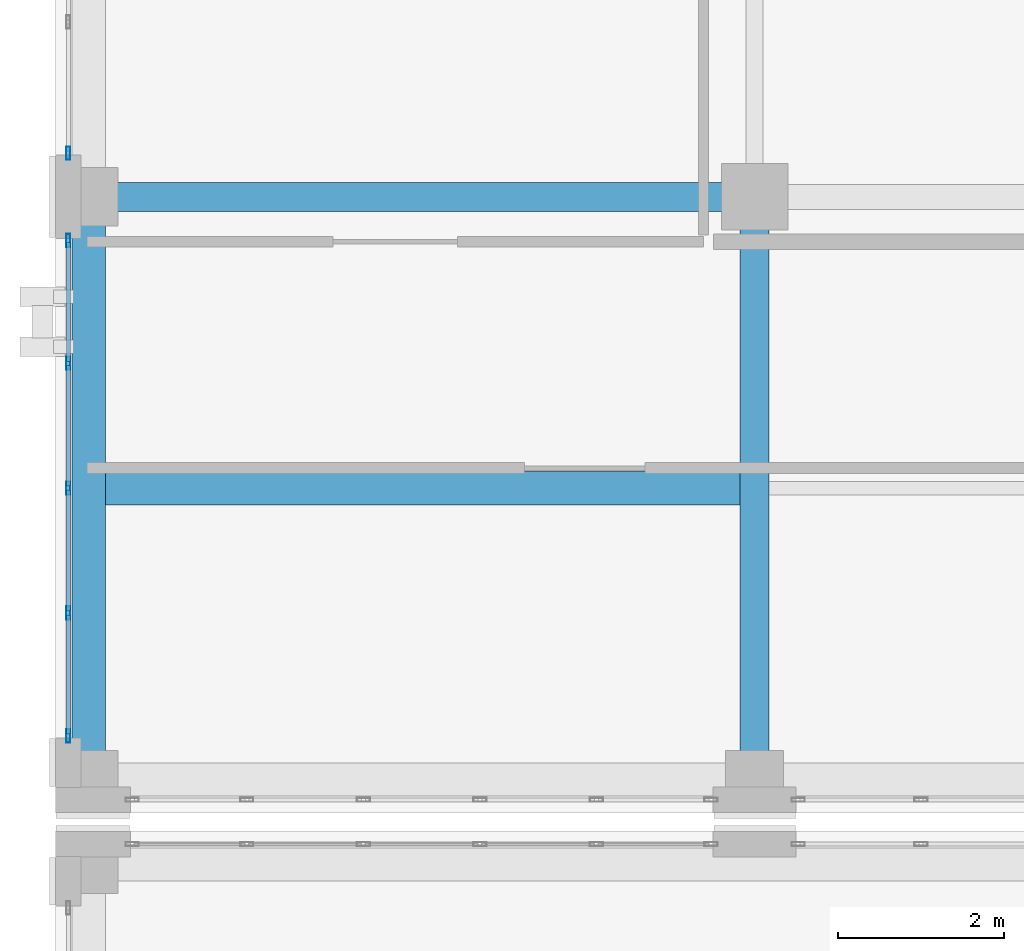
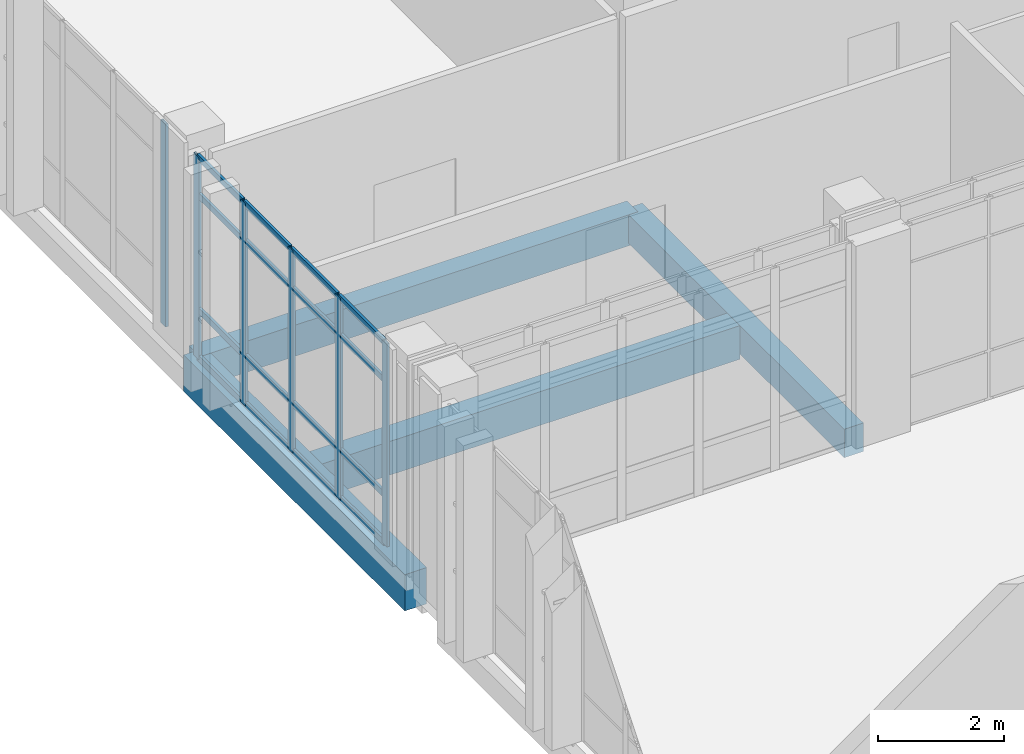
# One storey, part 89 of 193: 22 members, 4 beams, 2 elements without a shape of their own.
"""IFC4 building model written with IfcOpenShell, lengths in metres."""

from ifc_helpers import new_model, si_unit, direction, frame, origin, origin_2d, place, context, subcontext, project, spatial, rectangle, hollow_rectangle, extrude, material, layer, layer_set, material_profile, profile_set, type_object, element, aggregate, save


model = new_model("IFC4")

# Units and contexts
model_context = context("Model", 3, precision=1e-05, world=origin(), true_north=direction((0.0, 1.0)))
body_context = subcontext(model_context, "Body", "Model", "MODEL_VIEW")
ifc_project = project(units=[si_unit("LENGTHUNIT", "METRE"), si_unit("AREAUNIT", "SQUARE_METRE"), si_unit("VOLUMEUNIT", "CUBIC_METRE"), si_unit("PLANEANGLEUNIT", "RADIAN"), si_unit("MASSUNIT", "GRAM", prefix="KILO")], contexts=[model_context])

# Site, building, storey
site_placement = place(None, origin())
site = spatial("IfcSite", under=ifc_project, at=site_placement, CompositionType="ELEMENT")
building_placement = place(site_placement, origin())
building = spatial("IfcBuilding", under=site, at=building_placement, Name="Qalavern Law Courts", CompositionType="ELEMENT")
storey_placement = place(building_placement, frame((0.0, 0.0, 10.199951171875)))
storey = spatial("IfcBuildingStorey", under=building, at=storey_placement, Name="L02", CompositionType="ELEMENT", Elevation=10.199951171875)

# Curtain wall, member
ifc_material_1 = material(Name="Anodised aluminium and insulated glazing", Category="aluminium")
ifc_layer = layer(ifc_material_1, 0.166015625)
ifc_layer_set = layer_set([ifc_layer], Name="Anodised aluminium and insulated glazing")
curtain_wall_type = type_object("IfcCurtainWallType", Name="ENV-CW-LIB", PredefinedType="USERDEFINED", material=ifc_layer_set)
curtain_wall_1_placement = place(storey_placement, origin())
curtain_wall_1 = element("IfcCurtainWall", 1, at=curtain_wall_1_placement, inside=storey, type_object=curtain_wall_type, Name="V5 unitised curtain wall L02 west 1", ObjectType="UNITISED CURTAIN WALL", PredefinedType="USERDEFINED")
ifc_material_2 = material(Name="Anodised aluminium", Category="aluminium")
ifc_material_profile_1 = material_profile(ifc_material_2, hollow_rectangle(XDim=0.048095703125, YDim=0.159912109375, WallThickness=0.00390625, at=origin_2d()), Name="ALU MULLION 48x160")
ifc_profile_set_1 = profile_set([ifc_material_profile_1], Name="Anodised aluminium")
member_type_1 = type_object("IfcMemberType", Name="ENV-CWM-48x160", PredefinedType="MULLION", material=ifc_profile_set_1)
member_1_placement = place(storey_placement, frame((2.155029296875, 104.1240234375, 0.0), z_axis=(0.0, 0.0, 1.0), x_axis=(1.0, 0.0, 0.0)))
member_1 = element("IfcMember", 2, at=member_1_placement, type_object=member_type_1, Name="CW-05 mullion 6", PredefinedType="MULLION", context=body_context, shape_type="SweptSolid", body=[
    extrude(hollow_rectangle(XDim=0.048095703125, YDim=0.159912109375, WallThickness=0.00390625, at=origin_2d()), origin(), (0.0, 0.0, 1.0), 3.9150390625),
])
aggregate(curtain_wall_1, [member_1])

# Curtain wall, members
curtain_wall_2_placement = place(storey_placement, origin())
curtain_wall_2 = element("IfcCurtainWall", 3, at=curtain_wall_2_placement, inside=storey, type_object=curtain_wall_type, Name="V5 unitised curtain wall L02 west 2", ObjectType="UNITISED CURTAIN WALL", PredefinedType="USERDEFINED")
member_2_placement = place(storey_placement, frame((2.155029296875, 103.075927734375, 0.0), z_axis=(0.0, 0.0, 1.0), x_axis=(1.0, 0.0, 0.0)))
member_2 = element("IfcMember", 4, at=member_2_placement, type_object=member_type_1, Name="CW-05 mullion 1", PredefinedType="MULLION", context=body_context, shape_type="SweptSolid", body=[
    extrude(hollow_rectangle(XDim=0.048095703125, YDim=0.159912109375, WallThickness=0.00390625, at=origin_2d()), origin(), (0.0, 0.0, 1.0), 3.9150390625),
])
member_3_placement = place(storey_placement, frame((2.155029296875, 101.60009765625, 0.0), z_axis=(0.0, 0.0, 1.0), x_axis=(1.0, 0.0, 0.0)))
member_3 = element("IfcMember", 5, at=member_3_placement, type_object=member_type_1, Name="CW-05 mullion 2", PredefinedType="MULLION", context=body_context, shape_type="SweptSolid", body=[
    extrude(hollow_rectangle(XDim=0.048095703125, YDim=0.159912109375, WallThickness=0.00390625, at=origin_2d()), origin(), (0.0, 0.0, 1.0), 3.9150390625),
])
member_4_placement = place(storey_placement, frame((2.155029296875, 100.10009765625, 0.0), z_axis=(0.0, 0.0, 1.0), x_axis=(1.0, 0.0, 0.0)))
member_4 = element("IfcMember", 6, at=member_4_placement, type_object=member_type_1, Name="CW-05 mullion 3", PredefinedType="MULLION", context=body_context, shape_type="SweptSolid", body=[
    extrude(hollow_rectangle(XDim=0.048095703125, YDim=0.159912109375, WallThickness=0.00390625, at=origin_2d()), origin(), (0.0, 0.0, 1.0), 3.9150390625),
])
member_5_placement = place(storey_placement, frame((2.155029296875, 98.60009765625, 0.0), z_axis=(0.0, 0.0, 1.0), x_axis=(1.0, 0.0, 0.0)))
member_5 = element("IfcMember", 7, at=member_5_placement, type_object=member_type_1, Name="CW-05 mullion 4", PredefinedType="MULLION", context=body_context, shape_type="SweptSolid", body=[
    extrude(hollow_rectangle(XDim=0.048095703125, YDim=0.159912109375, WallThickness=0.00390625, at=origin_2d()), origin(), (0.0, 0.0, 1.0), 3.9150390625),
])
member_6_placement = place(storey_placement, frame((2.155029296875, 97.1240234375, 0.0), z_axis=(0.0, 0.0, 1.0), x_axis=(1.0, 0.0, 0.0)))
member_6 = element("IfcMember", 8, at=member_6_placement, type_object=member_type_1, Name="CW-05 mullion 5", PredefinedType="MULLION", context=body_context, shape_type="SweptSolid", body=[
    extrude(hollow_rectangle(XDim=0.048095703125, YDim=0.159912109375, WallThickness=0.00390625, at=origin_2d()), origin(), (0.0, 0.0, 1.0), 3.9150390625),
])
ifc_material_profile_2 = material_profile(ifc_material_2, hollow_rectangle(XDim=0.048095703125, YDim=0.1201171875, WallThickness=0.00390625, at=origin_2d()), Name="ALU TRANSOM 48x120")
ifc_profile_set_2 = profile_set([ifc_material_profile_2], Name="Anodised aluminium")
member_type_2 = type_object("IfcMemberType", Name="ENV-CWT-48x120", PredefinedType="USERDEFINED", material=ifc_profile_set_2)
member_7_placement = place(storey_placement, frame((2.155029296875, 103.052001953125, 0.024169921875), z_axis=(0.0, -1.0, 0.0), x_axis=(1.0, 0.0, 0.0)))
member_7 = element("IfcMember", 9, at=member_7_placement, type_object=member_type_2, Name="CW-05 transom 1.1", ObjectType="TRANSOM", PredefinedType="USERDEFINED", context=body_context, shape_type="SweptSolid", body=[
    extrude(hollow_rectangle(XDim=0.048095703125, YDim=0.1201171875, WallThickness=0.00390625, at=origin_2d()), origin(), (0.0, 0.0, 1.0), 1.427978515625),
])
member_8_placement = place(storey_placement, frame((2.155029296875, 103.052001953125, 0.949951171875), z_axis=(0.0, -1.0, 0.0), x_axis=(1.0, 0.0, 0.0)))
member_8 = element("IfcMember", 10, at=member_8_placement, type_object=member_type_2, Name="CW-05 transom 1.2", ObjectType="TRANSOM", PredefinedType="USERDEFINED", context=body_context, shape_type="SweptSolid", body=[
    extrude(hollow_rectangle(XDim=0.048095703125, YDim=0.1201171875, WallThickness=0.00390625, at=origin_2d()), origin(), (0.0, 0.0, 1.0), 1.427978515625),
])
member_9_placement = place(storey_placement, frame((2.155029296875, 103.052001953125, 3.1650390625), z_axis=(0.0, -1.0, 0.0), x_axis=(1.0, 0.0, 0.0)))
member_9 = element("IfcMember", 11, at=member_9_placement, type_object=member_type_2, Name="CW-05 transom 1.3", ObjectType="TRANSOM", PredefinedType="USERDEFINED", context=body_context, shape_type="SweptSolid", body=[
    extrude(hollow_rectangle(XDim=0.048095703125, YDim=0.1201171875, WallThickness=0.00390625, at=origin_2d()), origin(), (0.0, 0.0, 1.0), 1.427978515625),
])
member_10_placement = place(storey_placement, frame((2.155029296875, 103.052001953125, 3.89111328125), z_axis=(0.0, -1.0, 0.0), x_axis=(1.0, 0.0, 0.0)))
member_10 = element("IfcMember", 12, at=member_10_placement, type_object=member_type_2, Name="CW-05 transom 1.4", ObjectType="TRANSOM", PredefinedType="USERDEFINED", context=body_context, shape_type="SweptSolid", body=[
    extrude(hollow_rectangle(XDim=0.048095703125, YDim=0.1201171875, WallThickness=0.00390625, at=origin_2d()), origin(), (0.0, 0.0, 1.0), 1.427978515625),
])
member_11_placement = place(storey_placement, frame((2.155029296875, 101.575927734375, 0.024169921875), z_axis=(0.0, -1.0, 0.0), x_axis=(1.0, 0.0, 0.0)))
member_11 = element("IfcMember", 13, at=member_11_placement, type_object=member_type_2, Name="CW-05 transom 2.1", ObjectType="TRANSOM", PredefinedType="USERDEFINED", context=body_context, shape_type="SweptSolid", body=[
    extrude(hollow_rectangle(XDim=0.048095703125, YDim=0.1201171875, WallThickness=0.00390625, at=origin_2d()), origin(), (0.0, 0.0, 1.0), 1.451904296875),
])
member_12_placement = place(storey_placement, frame((2.155029296875, 101.575927734375, 0.949951171875), z_axis=(0.0, -1.0, 0.0), x_axis=(1.0, 0.0, 0.0)))
member_12 = element("IfcMember", 14, at=member_12_placement, type_object=member_type_2, Name="CW-05 transom 2.2", ObjectType="TRANSOM", PredefinedType="USERDEFINED", context=body_context, shape_type="SweptSolid", body=[
    extrude(hollow_rectangle(XDim=0.048095703125, YDim=0.1201171875, WallThickness=0.00390625, at=origin_2d()), origin(), (0.0, 0.0, 1.0), 1.451904296875),
])
member_13_placement = place(storey_placement, frame((2.155029296875, 101.575927734375, 3.1650390625), z_axis=(0.0, -1.0, 0.0), x_axis=(1.0, 0.0, 0.0)))
member_13 = element("IfcMember", 15, at=member_13_placement, type_object=member_type_2, Name="CW-05 transom 2.3", ObjectType="TRANSOM", PredefinedType="USERDEFINED", context=body_context, shape_type="SweptSolid", body=[
    extrude(hollow_rectangle(XDim=0.048095703125, YDim=0.1201171875, WallThickness=0.00390625, at=origin_2d()), origin(), (0.0, 0.0, 1.0), 1.451904296875),
])
member_14_placement = place(storey_placement, frame((2.155029296875, 101.575927734375, 3.89111328125), z_axis=(0.0, -1.0, 0.0), x_axis=(1.0, 0.0, 0.0)))
member_14 = element("IfcMember", 16, at=member_14_placement, type_object=member_type_2, Name="CW-05 transom 2.4", ObjectType="TRANSOM", PredefinedType="USERDEFINED", context=body_context, shape_type="SweptSolid", body=[
    extrude(hollow_rectangle(XDim=0.048095703125, YDim=0.1201171875, WallThickness=0.00390625, at=origin_2d()), origin(), (0.0, 0.0, 1.0), 1.451904296875),
])
member_15_placement = place(storey_placement, frame((2.155029296875, 100.075927734375, 0.024169921875), z_axis=(0.0, -1.0, 0.0), x_axis=(1.0, 0.0, 0.0)))
member_15 = element("IfcMember", 17, at=member_15_placement, type_object=member_type_2, Name="CW-05 transom 3.1", ObjectType="TRANSOM", PredefinedType="USERDEFINED", context=body_context, shape_type="SweptSolid", body=[
    extrude(hollow_rectangle(XDim=0.048095703125, YDim=0.1201171875, WallThickness=0.00390625, at=origin_2d()), origin(), (0.0, 0.0, 1.0), 1.451904296875),
])
member_16_placement = place(storey_placement, frame((2.155029296875, 100.075927734375, 0.949951171875), z_axis=(0.0, -1.0, 0.0), x_axis=(1.0, 0.0, 0.0)))
member_16 = element("IfcMember", 18, at=member_16_placement, type_object=member_type_2, Name="CW-05 transom 3.2", ObjectType="TRANSOM", PredefinedType="USERDEFINED", context=body_context, shape_type="SweptSolid", body=[
    extrude(hollow_rectangle(XDim=0.048095703125, YDim=0.1201171875, WallThickness=0.00390625, at=origin_2d()), origin(), (0.0, 0.0, 1.0), 1.451904296875),
])
member_17_placement = place(storey_placement, frame((2.155029296875, 100.075927734375, 3.1650390625), z_axis=(0.0, -1.0, 0.0), x_axis=(1.0, 0.0, 0.0)))
member_17 = element("IfcMember", 19, at=member_17_placement, type_object=member_type_2, Name="CW-05 transom 3.3", ObjectType="TRANSOM", PredefinedType="USERDEFINED", context=body_context, shape_type="SweptSolid", body=[
    extrude(hollow_rectangle(XDim=0.048095703125, YDim=0.1201171875, WallThickness=0.00390625, at=origin_2d()), origin(), (0.0, 0.0, 1.0), 1.451904296875),
])
member_18_placement = place(storey_placement, frame((2.155029296875, 100.075927734375, 3.89111328125), z_axis=(0.0, -1.0, 0.0), x_axis=(1.0, 0.0, 0.0)))
member_18 = element("IfcMember", 20, at=member_18_placement, type_object=member_type_2, Name="CW-05 transom 3.4", ObjectType="TRANSOM", PredefinedType="USERDEFINED", context=body_context, shape_type="SweptSolid", body=[
    extrude(hollow_rectangle(XDim=0.048095703125, YDim=0.1201171875, WallThickness=0.00390625, at=origin_2d()), origin(), (0.0, 0.0, 1.0), 1.451904296875),
])
member_19_placement = place(storey_placement, frame((2.155029296875, 98.575927734375, 0.024169921875), z_axis=(0.0, -1.0, 0.0), x_axis=(1.0, 0.0, 0.0)))
member_19 = element("IfcMember", 21, at=member_19_placement, type_object=member_type_2, Name="CW-05 transom 4.1", ObjectType="TRANSOM", PredefinedType="USERDEFINED", context=body_context, shape_type="SweptSolid", body=[
    extrude(hollow_rectangle(XDim=0.048095703125, YDim=0.1201171875, WallThickness=0.00390625, at=origin_2d()), origin(), (0.0, 0.0, 1.0), 1.427978515625),
])
member_20_placement = place(storey_placement, frame((2.155029296875, 98.575927734375, 0.949951171875), z_axis=(0.0, -1.0, 0.0), x_axis=(1.0, 0.0, 0.0)))
member_20 = element("IfcMember", 22, at=member_20_placement, type_object=member_type_2, Name="CW-05 transom 4.2", ObjectType="TRANSOM", PredefinedType="USERDEFINED", context=body_context, shape_type="SweptSolid", body=[
    extrude(hollow_rectangle(XDim=0.048095703125, YDim=0.1201171875, WallThickness=0.00390625, at=origin_2d()), origin(), (0.0, 0.0, 1.0), 1.427978515625),
])
member_21_placement = place(storey_placement, frame((2.155029296875, 98.575927734375, 3.1650390625), z_axis=(0.0, -1.0, 0.0), x_axis=(1.0, 0.0, 0.0)))
member_21 = element("IfcMember", 23, at=member_21_placement, type_object=member_type_2, Name="CW-05 transom 4.3", ObjectType="TRANSOM", PredefinedType="USERDEFINED", context=body_context, shape_type="SweptSolid", body=[
    extrude(hollow_rectangle(XDim=0.048095703125, YDim=0.1201171875, WallThickness=0.00390625, at=origin_2d()), origin(), (0.0, 0.0, 1.0), 1.427978515625),
])
member_22_placement = place(storey_placement, frame((2.155029296875, 98.575927734375, 3.89111328125), z_axis=(0.0, -1.0, 0.0), x_axis=(1.0, 0.0, 0.0)))
member_22 = element("IfcMember", 24, at=member_22_placement, type_object=member_type_2, Name="CW-05 transom 4.4", ObjectType="TRANSOM", PredefinedType="USERDEFINED", context=body_context, shape_type="SweptSolid", body=[
    extrude(hollow_rectangle(XDim=0.048095703125, YDim=0.1201171875, WallThickness=0.00390625, at=origin_2d()), origin(), (0.0, 0.0, 1.0), 1.427978515625),
])
aggregate(curtain_wall_2, [member_2, member_3, member_4, member_5, member_6, member_7, member_8, member_9, member_10, member_11, member_12, member_13, member_14, member_15, member_16, member_17, member_18, member_19, member_20, member_21, member_22])

# Beams
ifc_material_3 = material(Name="Concrete C35/45", Category="concrete")
ifc_material_profile_3 = material_profile(ifc_material_3, rectangle(XDim=0.35009765625, YDim=0.550048828125, at=origin_2d()), Name="RC 350x550")
ifc_profile_set_3 = profile_set([ifc_material_profile_3], Name="Concrete C35/45")
beam_type_1 = type_object("IfcBeamType", Name="STR-BM-RC350x550", PredefinedType="BEAM", material=ifc_profile_set_3)
beam_1_placement = place(storey_placement, frame((10.39990234375, 96.60009765625, -0.56494140625), z_axis=(0.0, 1.0, 0.0), x_axis=(-1.0, 0.0, 0.0)))
element("IfcBeam", 25, at=beam_1_placement, inside=storey, type_object=beam_type_1, Name="V5 Y-beam 2-1 L02", PredefinedType="BEAM", context=body_context, shape_type="SweptSolid", body=[
    extrude(rectangle(XDim=0.35009765625, YDim=0.550048828125, at=origin_2d()), origin(), (0.0, 0.0, 1.0), 7.0),
])
ifc_material_profile_4 = material_profile(ifc_material_3, rectangle(XDim=0.35009765625, YDim=0.60009765625, at=origin_2d()), Name="RC 350x600")
ifc_profile_set_4 = profile_set([ifc_material_profile_4], Name="Concrete C35/45")
beam_type_2 = type_object("IfcBeamType", Name="STR-BM-RC350x600", PredefinedType="BEAM", material=ifc_profile_set_4)
beam_2_placement = place(storey_placement, frame((2.39990234375, 103.60009765625, -0.58984375), z_axis=(1.0, 0.0, 0.0), x_axis=(0.0, 1.0, 0.0)))
element("IfcBeam", 26, at=beam_2_placement, inside=storey, type_object=beam_type_2, Name="V5 X-beam 2-1 L02", PredefinedType="BEAM", context=body_context, shape_type="SweptSolid", body=[
    extrude(rectangle(XDim=0.35009765625, YDim=0.60009765625, at=origin_2d()), origin(), (0.0, 0.0, 1.0), 8.0),
])
ifc_material_profile_5 = material_profile(ifc_material_3, rectangle(XDim=0.39990234375, YDim=0.64990234375, at=origin_2d()), Name="RC 400x650")
ifc_profile_set_5 = profile_set([ifc_material_profile_5], Name="Concrete C35/45")
beam_type_3 = type_object("IfcBeamType", Name="STR-JST-RC400x650", PredefinedType="JOIST", material=ifc_profile_set_5)
beam_3_placement = place(storey_placement, frame((2.597900390625, 100.10009765625, -0.614990234375), z_axis=(1.0, 0.0, 0.0), x_axis=(0.0, 1.0, 0.0)))
element("IfcBeam", 27, at=beam_3_placement, inside=storey, type_object=beam_type_3, Name="V5 secondary joist 1.1.1 L02", PredefinedType="JOIST", context=body_context, shape_type="SweptSolid", body=[
    extrude(rectangle(XDim=0.39990234375, YDim=0.64990234375, at=origin_2d()), origin(), (0.0, 0.0, 1.0), 7.629150390625),
])
ifc_material_4 = material(Name="Concrete C40/50", Category="concrete")
ifc_material_profile_6 = material_profile(ifc_material_4, rectangle(XDim=0.39990234375, YDim=0.699951171875, at=origin_2d()), Name="RC 400x700")
ifc_profile_set_6 = profile_set([ifc_material_profile_6], Name="Concrete C40/50")
beam_type_4 = type_object("IfcBeamType", Name="STR-SP-RC400x700", PredefinedType="SPANDREL", material=ifc_profile_set_6)
beam_4_placement = place(storey_placement, frame((2.39990234375, 96.60009765625, -0.639892578125), z_axis=(0.0, 1.0, 0.0), x_axis=(-1.0, 0.0, 0.0)))
element("IfcBeam", 28, at=beam_4_placement, inside=storey, type_object=beam_type_4, Name="V5 Y-beam 1-1 L02", PredefinedType="SPANDREL", context=body_context, shape_type="SweptSolid", body=[
    extrude(rectangle(XDim=0.39990234375, YDim=0.699951171875, at=origin_2d()), origin(), (0.0, 0.0, 1.0), 7.0),
])

save(model, "model.ifc")
